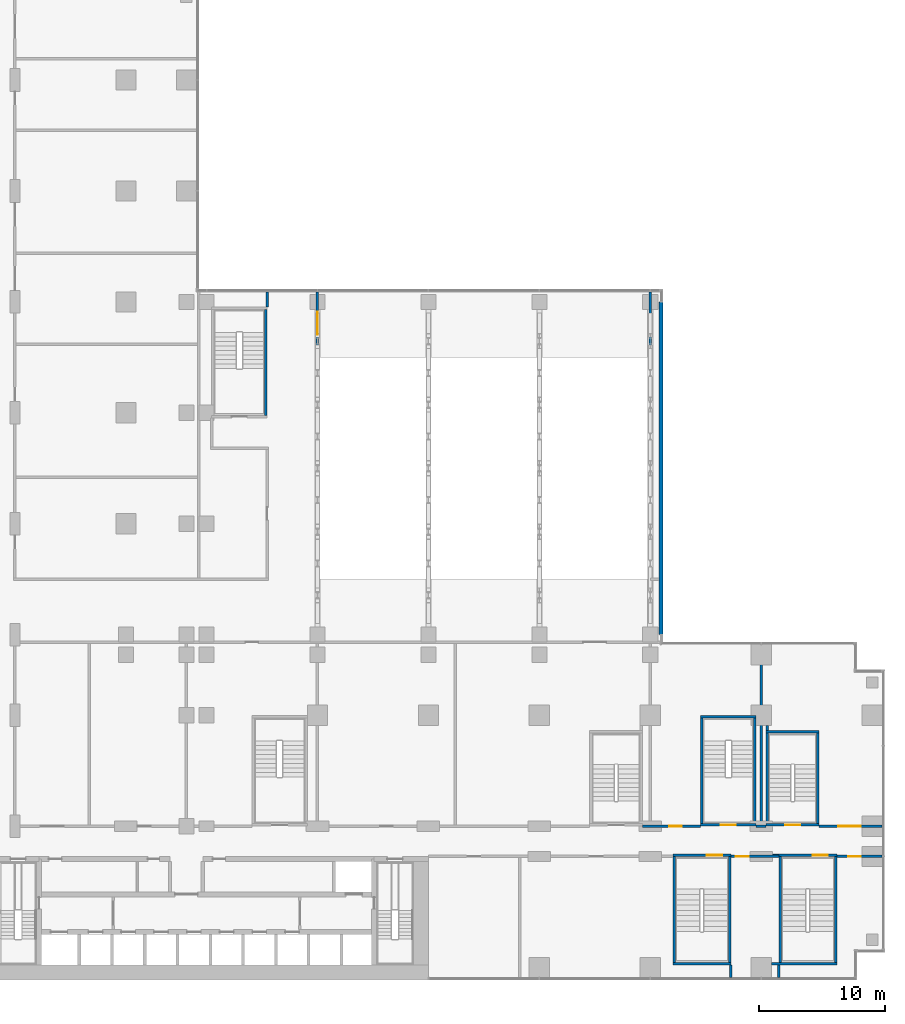
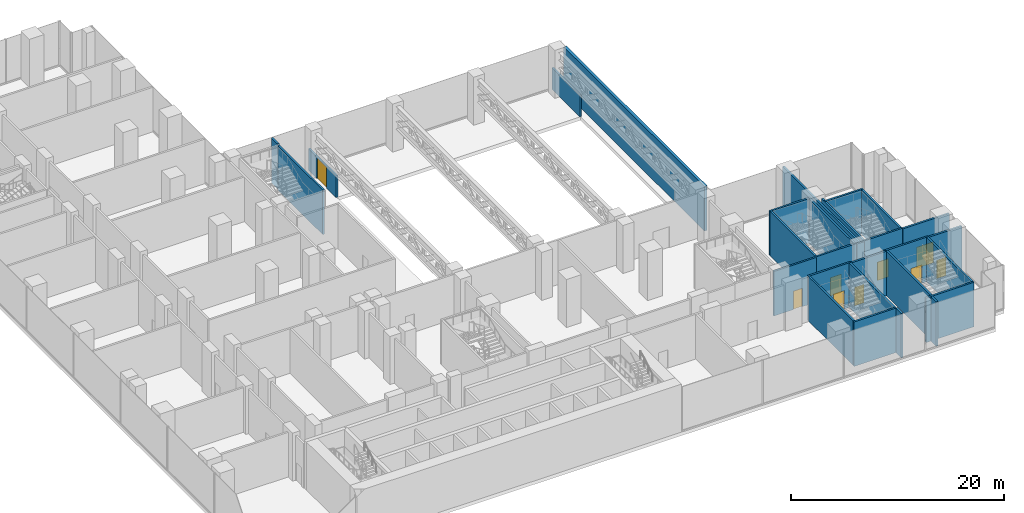
# One storey, part 21 of 30: 29 walls, 9 doors, 9 openings.
"""IFC4 building model written with IfcOpenShell, lengths in metres."""

from ifc_helpers import new_model, si_unit, direction, frame, frame_2d, origin, place, context, subcontext, project, spatial, rectangle, extrude, material, layer, layer_set, type_object, element, fill, save


model = new_model("IFC4")

# Units and contexts
model_context = context("Model", 3, precision=1e-05, world=origin(), true_north=direction((0.0, 1.0)))
body_context = subcontext(model_context, "Body", "Model", "MODEL_VIEW")
ifc_project = project(units=[si_unit("LENGTHUNIT", "METRE"), si_unit("AREAUNIT", "SQUARE_METRE"), si_unit("VOLUMEUNIT", "CUBIC_METRE"), si_unit("PLANEANGLEUNIT", "RADIAN"), si_unit("MASSUNIT", "GRAM", prefix="KILO")], contexts=[model_context])

# Site, building, storey
site_placement = place(None, origin())
site = spatial("IfcSite", under=ifc_project, at=site_placement, CompositionType="ELEMENT")
building_placement = place(site_placement, origin())
building = spatial("IfcBuilding", under=site, at=building_placement, Name="Kemantara Hotel Tower", CompositionType="ELEMENT")
storey_placement = place(building_placement, frame((0.0, 0.0, 23.5)))
storey = spatial("IfcBuildingStorey", under=building, at=storey_placement, Name="L04", CompositionType="ELEMENT", Elevation=23.5)

# Wall
ifc_material_1 = material(Name="Bronze anodised aluminium cladding on insulated steel stud wall", Category="steel")
ifc_layer_1 = layer(ifc_material_1, 0.300048828125)
ifc_layer_set_1 = layer_set([ifc_layer_1], Name="Bronze anodised aluminium cladding on insulated steel stud wall")
wall_type_1 = type_object("IfcWallType", Name="BRONZE METAL-CLAD EXTERNAL WALL 300", PredefinedType="STANDARD", material=ifc_layer_set_1)
wall_1_placement = place(storey_placement, frame((63.449951171875, 27.39990234375, 0.0), z_axis=(0.0, 0.0, 1.0), x_axis=(0.0, 1.0, 0.0)))
element("IfcWall", 1, at=wall_1_placement, inside=storey, type_object=wall_type_1, Name="EXTERNAL WALL L04 POD-R08.S0", PredefinedType="STANDARD", context=body_context, shape_type="SweptSolid", body=[
    extrude(rectangle(XDim=26.400146484375, YDim=0.300048828125, at=frame_2d((13.2001953125, 0.0))), origin(), (0.0, 0.0, 1.0), 5.10009765625),
])

# Wall, opening, door
ifc_material_2 = material(Name="Concrete fc 40 MPa", Category="concrete")
ifc_layer_2 = layer(ifc_material_2, 0.199951171875)
ifc_layer_set_2 = layer_set([ifc_layer_2], Name="Concrete fc 40 MPa")
wall_type_2 = type_object("IfcWallType", Name="Concrete stair wall 200 mm", PredefinedType="SHEAR", material=ifc_layer_set_2)
wall_2_placement = place(storey_placement, frame((71.800048828125, 12.300048828125, 0.0), z_axis=(0.0, 0.0, 1.0), x_axis=(1.0, 0.0, 0.0)))
wall_2 = element("IfcWall", 2, at=wall_2_placement, inside=storey, type_object=wall_type_2, Name="Stair ST5 enclosure wall with door", PredefinedType="SHEAR", context=body_context, shape_type="SweptSolid", body=[
    extrude(rectangle(XDim=4.199951171875, YDim=0.199951171875, at=frame_2d((2.10009765625, 0.0))), origin(), (0.0, 0.0, 1.0), 5.10009765625),
])
opening_1_placement = place(wall_2_placement, frame((1.5, 0.0, 0.0)))
opening_1 = element("IfcOpeningElement", 3, at=opening_1_placement, cuts=wall_2, Name="Opening ST5-C", PredefinedType="OPENING", context=body_context, shape_type="SweptSolid", body=[
    extrude(rectangle(XDim=1.199951171875, YDim=2.10009765625, at=frame_2d((0.60009765625, 1.050048828125))), frame((0.0, 0.10986328125, 0.0), z_axis=(0.0, -1.0, 0.0), x_axis=(1.0, 0.0, 0.0)), (0.0, 0.0, 1.0), 0.219970703125),
])
ifc_material_3 = material(Name="Steel fire door", Category="steel")
door_type_1 = type_object("IfcDoorType", Name="Fire door FD90 1200 x 2100", OperationType="NOTDEFINED", PredefinedType="DOOR", material=ifc_material_3)
door_1_placement = place(opening_1_placement, origin())
door_1 = element("IfcDoor", 4, at=door_1_placement, inside=storey, type_object=door_type_1, Name="Stair ST5 door", OperationType="SINGLE_SWING_RIGHT", OverallHeight=2.10009765625, OverallWidth=1.199951171875, PredefinedType="DOOR", context=body_context, shape_type="SweptSolid", body=[
    extrude(rectangle(XDim=1.199951171875, YDim=2.10009765625, at=frame_2d((0.60009765625, 1.050048828125))), frame((0.0, 0.02490234375, 0.0), z_axis=(0.0, -1.0, 0.0), x_axis=(1.0, 0.0, 0.0)), (0.0, 0.0, 1.0), 0.050048828125),
])
fill(opening_1, door_1)

# Walls
wall_3_placement = place(storey_placement, frame((71.800048828125, 19.699951171875, 0.0), z_axis=(0.0, 0.0, 1.0), x_axis=(1.0, 0.0, 0.0)))
element("IfcWall", 5, at=wall_3_placement, inside=storey, type_object=wall_type_2, Name="Stair ST5 enclosure wall N", PredefinedType="SHEAR", context=body_context, shape_type="SweptSolid", body=[
    extrude(rectangle(XDim=4.199951171875, YDim=0.199951171875, at=frame_2d((2.10009765625, 0.0))), origin(), (0.0, 0.0, 1.0), 5.10009765625),
])
wall_4_placement = place(storey_placement, frame((71.89990234375, 12.39990234375, 0.0), z_axis=(0.0, 0.0, 1.0), x_axis=(0.0, 1.0, 0.0)))
element("IfcWall", 6, at=wall_4_placement, inside=storey, type_object=wall_type_2, Name="Stair ST5 enclosure wall W", PredefinedType="SHEAR", context=body_context, shape_type="SweptSolid", body=[
    extrude(rectangle(XDim=7.800048828125, YDim=0.199951171875, at=frame_2d((3.89990234375, 0.0))), origin(), (0.0, 0.0, 1.0), 5.10009765625),
])
wall_5_placement = place(storey_placement, frame((75.89990234375, 12.39990234375, 0.0), z_axis=(0.0, 0.0, 1.0), x_axis=(0.0, 1.0, 0.0)))
element("IfcWall", 7, at=wall_5_placement, inside=storey, type_object=wall_type_2, Name="Stair ST5 enclosure wall E", PredefinedType="SHEAR", context=body_context, shape_type="SweptSolid", body=[
    extrude(rectangle(XDim=7.2001953125, YDim=0.199951171875, at=frame_2d((3.60009765625, 0.0))), origin(), (0.0, 0.0, 1.0), 5.10009765625),
])

# Wall, opening, door
wall_6_placement = place(storey_placement, frame((66.60009765625, 12.300048828125, 0.0), z_axis=(0.0, 0.0, 1.0), x_axis=(1.0, 0.0, 0.0)))
wall_6 = element("IfcWall", 8, at=wall_6_placement, inside=storey, type_object=wall_type_2, Name="Stair PS1 enclosure wall with door", PredefinedType="SHEAR", context=body_context, shape_type="SweptSolid", body=[
    extrude(rectangle(XDim=4.39990234375, YDim=0.199951171875, at=frame_2d((2.199951171875, 0.0))), origin(), (0.0, 0.0, 1.0), 5.10009765625),
])
opening_2_placement = place(wall_6_placement, frame((1.60009765625, 0.0, 0.0)))
opening_2 = element("IfcOpeningElement", 9, at=opening_2_placement, cuts=wall_6, Name="Opening PS1-C", PredefinedType="OPENING", context=body_context, shape_type="SweptSolid", body=[
    extrude(rectangle(XDim=1.199951171875, YDim=2.10009765625, at=frame_2d((0.60009765625, 1.050048828125))), frame((0.0, 0.10986328125, 0.0), z_axis=(0.0, -1.0, 0.0), x_axis=(1.0, 0.0, 0.0)), (0.0, 0.0, 1.0), 0.219970703125),
])
door_2_placement = place(opening_2_placement, origin())
door_2 = element("IfcDoor", 10, at=door_2_placement, inside=storey, type_object=door_type_1, Name="Stair PS1 door", OperationType="SINGLE_SWING_RIGHT", OverallHeight=2.10009765625, OverallWidth=1.199951171875, PredefinedType="DOOR", context=body_context, shape_type="SweptSolid", body=[
    extrude(rectangle(XDim=1.199951171875, YDim=2.10009765625, at=frame_2d((0.60009765625, 1.050048828125))), frame((0.0, 0.02490234375, 0.0), z_axis=(0.0, -1.0, 0.0), x_axis=(1.0, 0.0, 0.0)), (0.0, 0.0, 1.0), 0.050048828125),
])
fill(opening_2, door_2)

# Walls
wall_7_placement = place(storey_placement, frame((66.60009765625, 20.89990234375, 0.0), z_axis=(0.0, 0.0, 1.0), x_axis=(1.0, 0.0, 0.0)))
element("IfcWall", 11, at=wall_7_placement, inside=storey, type_object=wall_type_2, Name="Stair PS1 enclosure wall N", PredefinedType="SHEAR", context=body_context, shape_type="SweptSolid", body=[
    extrude(rectangle(XDim=4.39990234375, YDim=0.199951171875, at=frame_2d((2.199951171875, 0.0))), origin(), (0.0, 0.0, 1.0), 5.10009765625),
])
for number, where, z_axis, x_axis, name in (
    (12, (66.699951171875, 12.39990234375, 0.0), (0.0, 0.0, 1.0), (0.0, 1.0, 0.0), "Stair PS1 enclosure wall W"),
    (13, (70.89990234375, 12.39990234375, 0.0), (0.0, 0.0, 1.0), (0.0, 1.0, 0.0), "Stair PS1 enclosure wall E"),
):
    element("IfcWall", number, at=place(storey_placement, frame(where, z_axis=z_axis, x_axis=x_axis)), inside=storey, type_object=wall_type_2, Name=name, PredefinedType="SHEAR", context=body_context, shape_type="SweptSolid", body=[
        extrude(rectangle(XDim=8.400146484375, YDim=0.199951171875, at=frame_2d((4.2001953125, 0.0))), origin(), (0.0, 0.0, 1.0), 5.10009765625),
    ])
wall_8_placement = place(storey_placement, frame((32.10009765625, 44.800048828125, 0.0), z_axis=(0.0, 0.0, 1.0), x_axis=(0.0, 1.0, 0.0)))
element("IfcWall", 14, at=wall_8_placement, inside=storey, type_object=wall_type_2, Name="Stair PS2 enclosure wall E", PredefinedType="SHEAR", context=body_context, shape_type="SweptSolid", body=[
    extrude(rectangle(XDim=8.39990234375, YDim=0.199951171875, at=frame_2d((4.199951171875, 0.0))), origin(), (0.0, 0.0, 1.0), 5.10009765625),
])

# Wall, opening, door
wall_9_placement = place(storey_placement, frame((64.39990234375, 9.89990234375, 0.0), z_axis=(0.0, 0.0, 1.0), x_axis=(1.0, 0.0, 0.0)))
wall_9 = element("IfcWall", 15, at=wall_9_placement, inside=storey, type_object=wall_type_2, Name="Stair PS4 enclosure wall with door", PredefinedType="SHEAR", context=body_context, shape_type="SweptSolid", body=[
    extrude(rectangle(XDim=4.60009765625, YDim=0.199951171875, at=frame_2d((2.300048828125, 0.0))), origin(), (0.0, 0.0, 1.0), 5.10009765625),
])
opening_3_placement = place(wall_9_placement, frame((2.699951171875, 0.0, 0.0)))
opening_3 = element("IfcOpeningElement", 16, at=opening_3_placement, cuts=wall_9, Name="Opening PS4-C", PredefinedType="OPENING", context=body_context, shape_type="SweptSolid", body=[
    extrude(rectangle(XDim=1.199951171875, YDim=2.10009765625, at=frame_2d((0.60009765625, 1.050048828125))), frame((0.0, 0.10986328125, 0.0), z_axis=(0.0, -1.0, 0.0), x_axis=(1.0, 0.0, 0.0)), (0.0, 0.0, 1.0), 0.219970703125),
])
door_3_placement = place(opening_3_placement, frame((1.199951171875, 0.0, 0.0), z_axis=(0.0, 0.0, 1.0), x_axis=(-1.0, 0.0, 0.0)))
door_3 = element("IfcDoor", 17, at=door_3_placement, inside=storey, type_object=door_type_1, Name="Stair PS4 door", OperationType="SINGLE_SWING_LEFT", OverallHeight=2.10009765625, OverallWidth=1.199951171875, PredefinedType="DOOR", context=body_context, shape_type="SweptSolid", body=[
    extrude(rectangle(XDim=1.199951171875, YDim=2.10009765625, at=frame_2d((0.60009765625, 1.050048828125))), frame((0.0, 0.02490234375, 0.0), z_axis=(0.0, -1.0, 0.0), x_axis=(1.0, 0.0, 0.0)), (0.0, 0.0, 1.0), 0.050048828125),
])
fill(opening_3, door_3)

# Walls
wall_10_placement = place(storey_placement, frame((64.39990234375, 1.300048828125, 0.0), z_axis=(0.0, 0.0, 1.0), x_axis=(1.0, 0.0, 0.0)))
element("IfcWall", 18, at=wall_10_placement, inside=storey, type_object=wall_type_2, Name="Stair PS4 enclosure wall S", PredefinedType="SHEAR", context=body_context, shape_type="SweptSolid", body=[
    extrude(rectangle(XDim=4.60009765625, YDim=0.199951171875, at=frame_2d((2.300048828125, 0.0))), origin(), (0.0, 0.0, 1.0), 5.10009765625),
])
for number, where, z_axis, x_axis, name in (
    (19, (64.5, 1.39990234375, 0.0), (0.0, 0.0, 1.0), (0.0, 1.0, 0.0), "Stair PS4 enclosure wall W"),
    (20, (68.89990234375, 1.39990234375, 0.0), (0.0, 0.0, 1.0), (0.0, 1.0, 0.0), "Stair PS4 enclosure wall E"),
):
    element("IfcWall", number, at=place(storey_placement, frame(where, z_axis=z_axis, x_axis=x_axis)), inside=storey, type_object=wall_type_2, Name=name, PredefinedType="SHEAR", context=body_context, shape_type="SweptSolid", body=[
        extrude(rectangle(XDim=8.400146484375, YDim=0.199951171875, at=frame_2d((4.2001953125, 0.0))), origin(), (0.0, 0.0, 1.0), 5.10009765625),
    ])

# Wall, opening, door
wall_11_placement = place(storey_placement, frame((72.300048828125, 9.89990234375, 0.0), z_axis=(0.0, 0.0, 1.0), x_axis=(1.0, 0.0, 0.0)))
wall_11 = element("IfcWall", 21, at=wall_11_placement, inside=storey, type_object=wall_type_2, Name="Stair PS5 enclosure wall with door", PredefinedType="SHEAR", context=body_context, shape_type="SweptSolid", body=[
    extrude(rectangle(XDim=5.099853515625, YDim=0.199951171875, at=frame_2d((2.5498046875, 0.0))), origin(), (0.0, 0.0, 1.0), 5.10009765625),
])
opening_4_placement = place(wall_11_placement, frame((3.199951171875, 0.0, 0.0)))
opening_4 = element("IfcOpeningElement", 22, at=opening_4_placement, cuts=wall_11, Name="Opening PS5-C", PredefinedType="OPENING", context=body_context, shape_type="SweptSolid", body=[
    extrude(rectangle(XDim=1.199951171875, YDim=2.10009765625, at=frame_2d((0.60009765625, 1.050048828125))), frame((0.0, 0.10986328125, 0.0), z_axis=(0.0, -1.0, 0.0), x_axis=(1.0, 0.0, 0.0)), (0.0, 0.0, 1.0), 0.219970703125),
])
door_4_placement = place(opening_4_placement, frame((1.199951171875, 0.0, 0.0), z_axis=(0.0, 0.0, 1.0), x_axis=(-1.0, 0.0, 0.0)))
door_4 = element("IfcDoor", 23, at=door_4_placement, inside=storey, type_object=door_type_1, Name="Stair PS5 door", OperationType="SINGLE_SWING_LEFT", OverallHeight=2.10009765625, OverallWidth=1.199951171875, PredefinedType="DOOR", context=body_context, shape_type="SweptSolid", body=[
    extrude(rectangle(XDim=1.199951171875, YDim=2.10009765625, at=frame_2d((0.60009765625, 1.050048828125))), frame((0.0, 0.02490234375, 0.0), z_axis=(0.0, -1.0, 0.0), x_axis=(1.0, 0.0, 0.0)), (0.0, 0.0, 1.0), 0.050048828125),
])
fill(opening_4, door_4)

# Walls
wall_12_placement = place(storey_placement, frame((72.199951171875, 1.300048828125, 0.0), z_axis=(0.0, 0.0, 1.0), x_axis=(1.0, 0.0, 0.0)))
element("IfcWall", 24, at=wall_12_placement, inside=storey, type_object=wall_type_2, Name="Stair PS5 enclosure wall S", PredefinedType="SHEAR", context=body_context, shape_type="SweptSolid", body=[
    extrude(rectangle(XDim=5.199951171875, YDim=0.199951171875, at=frame_2d((2.60009765625, 0.0))), origin(), (0.0, 0.0, 1.0), 5.10009765625),
])
for number, where, z_axis, x_axis, name in (
    (25, (72.89990234375, 1.39990234375, 0.0), (0.0, 0.0, 1.0), (0.0, 1.0, 0.0), "Stair PS5 enclosure wall W"),
    (26, (77.300048828125, 1.39990234375, 0.0), (0.0, 0.0, 1.0), (0.0, 1.0, 0.0), "Stair PS5 enclosure wall E"),
):
    element("IfcWall", number, at=place(storey_placement, frame(where, z_axis=z_axis, x_axis=x_axis)), inside=storey, type_object=wall_type_2, Name=name, PredefinedType="SHEAR", context=body_context, shape_type="SweptSolid", body=[
        extrude(rectangle(XDim=8.400146484375, YDim=0.199951171875, at=frame_2d((4.2001953125, 0.0))), origin(), (0.0, 0.0, 1.0), 5.10009765625),
    ])
ifc_material_4 = material(Name="Clay brick masonry", Category="masonry")
ifc_layer_3 = layer(ifc_material_4, 0.199951171875)
ifc_layer_set_3 = layer_set([ifc_layer_3], Name="Clay brick masonry")
wall_type_3 = type_object("IfcWallType", Name="FIRE-RATED CLAY BRICK WALL 200 EI 120", PredefinedType="PARTITIONING", material=ifc_layer_set_3)
wall_13_placement = place(storey_placement, frame((62.60009765625, 49.39990234375, 0.0), z_axis=(0.0, 0.0, 1.0), x_axis=(0.0, 1.0, 0.0)))
element("IfcWall", 27, at=wall_13_placement, inside=storey, type_object=wall_type_3, Name="FIRE WALL", PredefinedType="PARTITIONING", context=body_context, shape_type="SweptSolid", body=[
    extrude(rectangle(XDim=5.2001953125, YDim=0.199951171875, at=frame_2d((2.60009765625, 0.0))), origin(), (0.0, 0.0, 1.0), 2.5),
])

# Wall, opening, door
ifc_material_5 = material(Name="Fire-rated gypsum board partition")
ifc_layer_4 = layer(ifc_material_5, 0.199951171875)
ifc_layer_set_4 = layer_set([ifc_layer_4], Name="Fire-rated gypsum board partition")
wall_type_4 = type_object("IfcWallType", Name="FIRE-RATED GYPSUM PARTITION 200 EI 60", PredefinedType="PARTITIONING", material=ifc_layer_set_4)
wall_14_placement = place(storey_placement, frame((69.0, 9.800048828125, 0.0), z_axis=(0.0, 0.0, 1.0), x_axis=(1.0, 0.0, 0.0)))
wall_14 = element("IfcWall", 28, at=wall_14_placement, inside=storey, type_object=wall_type_4, Name="FIRE-RATED PARTITION", PredefinedType="PARTITIONING", context=body_context, shape_type="SweptSolid", body=[
    extrude(rectangle(XDim=3.800048828125, YDim=0.199951171875, at=frame_2d((1.89990234375, 0.0))), origin(), (0.0, 0.0, 1.0), 5.10009765625),
])
opening_5_placement = place(wall_14_placement, frame((0.39990234375, 0.0, 0.0)))
opening_5 = element("IfcOpeningElement", 29, at=opening_5_placement, cuts=wall_14, Name="Opening L04-B005", PredefinedType="OPENING", context=body_context, shape_type="SweptSolid", body=[
    extrude(rectangle(XDim=1.0, YDim=2.10009765625, at=frame_2d((0.5, 1.050048828125))), frame((0.0, 0.10986328125, 0.0), z_axis=(0.0, -1.0, 0.0), x_axis=(1.0, 0.0, 0.0)), (0.0, 0.0, 1.0), 0.219970703125),
])
ifc_material_6 = material(Name="Timber veneer door leaf", Category="wood")
door_type_2 = type_object("IfcDoorType", Name="SINGLE LEAF TIMBER DOOR 1000 X 2100", OperationType="SINGLE_SWING_LEFT", PredefinedType="DOOR", material=ifc_material_6)
door_5_placement = place(opening_5_placement, frame((1.0, 0.0, 0.0), z_axis=(0.0, 0.0, 1.0), x_axis=(-1.0, 0.0, 0.0)))
door_5 = element("IfcDoor", 30, at=door_5_placement, inside=storey, type_object=door_type_2, Name="SINGLE LEAF TIMBER DOOR", OperationType="SINGLE_SWING_RIGHT", OverallHeight=2.10009765625, OverallWidth=1.0, PredefinedType="DOOR", context=body_context, shape_type="SweptSolid", body=[
    extrude(rectangle(XDim=1.0, YDim=2.10009765625, at=frame_2d((0.5, 1.050048828125))), frame((0.0, 0.02490234375, 0.0), z_axis=(0.0, -1.0, 0.0), x_axis=(1.0, 0.0, 0.0)), (0.0, 0.0, 1.0), 0.050048828125),
])
fill(opening_5, door_5)

wall_15_placement = place(storey_placement, frame((77.39990234375, 9.800048828125, 0.0), z_axis=(0.0, 0.0, 1.0), x_axis=(1.0, 0.0, 0.0)))
wall_15 = element("IfcWall", 31, at=wall_15_placement, inside=storey, type_object=wall_type_4, Name="FIRE-RATED PARTITION", PredefinedType="PARTITIONING", context=body_context, shape_type="SweptSolid", body=[
    extrude(rectangle(XDim=3.60009765625, YDim=0.199951171875, at=frame_2d((1.800048828125, 0.0))), origin(), (0.0, 0.0, 1.0), 5.10009765625),
])
opening_6_placement = place(wall_15_placement, frame((0.89990234375, 0.0, 0.0)))
opening_6 = element("IfcOpeningElement", 32, at=opening_6_placement, cuts=wall_15, Name="Opening L04-B006", PredefinedType="OPENING", context=body_context, shape_type="SweptSolid", body=[
    extrude(rectangle(XDim=1.0, YDim=2.10009765625, at=frame_2d((0.5, 1.050048828125))), frame((0.0, 0.10986328125, 0.0), z_axis=(0.0, -1.0, 0.0), x_axis=(1.0, 0.0, 0.0)), (0.0, 0.0, 1.0), 0.219970703125),
])
door_6_placement = place(opening_6_placement, frame((1.0, 0.0, 0.0), z_axis=(0.0, 0.0, 1.0), x_axis=(-1.0, 0.0, 0.0)))
door_6 = element("IfcDoor", 33, at=door_6_placement, inside=storey, type_object=door_type_2, Name="SINGLE LEAF TIMBER DOOR", OperationType="SINGLE_SWING_RIGHT", OverallHeight=2.10009765625, OverallWidth=1.0, PredefinedType="DOOR", context=body_context, shape_type="SweptSolid", body=[
    extrude(rectangle(XDim=1.0, YDim=2.10009765625, at=frame_2d((0.5, 1.050048828125))), frame((0.0, 0.02490234375, 0.0), z_axis=(0.0, -1.0, 0.0), x_axis=(1.0, 0.0, 0.0)), (0.0, 0.0, 1.0), 0.050048828125),
])
fill(opening_6, door_6)

wall_16_placement = place(storey_placement, frame((62.0, 12.199951171875, 0.0), z_axis=(0.0, 0.0, 1.0), x_axis=(1.0, 0.0, 0.0)))
wall_16 = element("IfcWall", 34, at=wall_16_placement, inside=storey, type_object=wall_type_4, Name="FIRE-RATED PARTITION", PredefinedType="PARTITIONING", context=body_context, shape_type="SweptSolid", body=[
    extrude(rectangle(XDim=4.60009765625, YDim=0.199951171875, at=frame_2d((2.300048828125, 0.0))), origin(), (0.0, 0.0, 1.0), 5.10009765625),
])
opening_7_placement = place(wall_16_placement, frame((2.10009765625, 0.0, 0.0)))
opening_7 = element("IfcOpeningElement", 35, at=opening_7_placement, cuts=wall_16, Name="Opening L04-B027", PredefinedType="OPENING", context=body_context, shape_type="SweptSolid", body=[
    extrude(rectangle(XDim=1.0, YDim=2.10009765625, at=frame_2d((0.5, 1.050048828125))), frame((0.0, 0.10986328125, 0.0), z_axis=(0.0, -1.0, 0.0), x_axis=(1.0, 0.0, 0.0)), (0.0, 0.0, 1.0), 0.219970703125),
])
door_7_placement = place(opening_7_placement, origin())
door_7 = element("IfcDoor", 36, at=door_7_placement, inside=storey, type_object=door_type_2, Name="SINGLE LEAF TIMBER DOOR", OperationType="SINGLE_SWING_RIGHT", OverallHeight=2.10009765625, OverallWidth=1.0, PredefinedType="DOOR", context=body_context, shape_type="SweptSolid", body=[
    extrude(rectangle(XDim=1.0, YDim=2.10009765625, at=frame_2d((0.5, 1.050048828125))), frame((0.0, 0.02490234375, 0.0), z_axis=(0.0, -1.0, 0.0), x_axis=(1.0, 0.0, 0.0)), (0.0, 0.0, 1.0), 0.050048828125),
])
fill(opening_7, door_7)

# Wall
wall_17_placement = place(storey_placement, frame((71.0, 12.199951171875, 0.0), z_axis=(0.0, 0.0, 1.0), x_axis=(1.0, 0.0, 0.0)))
element("IfcWall", 37, at=wall_17_placement, inside=storey, type_object=wall_type_4, Name="FIRE-RATED PARTITION", PredefinedType="PARTITIONING", context=body_context, shape_type="SweptSolid", body=[
    extrude(rectangle(XDim=0.800048828125, YDim=0.199951171875, at=frame_2d((0.39990234375, 0.0))), origin(), (0.0, 0.0, 1.0), 5.10009765625),
])

# Wall, opening, door
wall_18_placement = place(storey_placement, frame((76.0, 12.199951171875, 0.0), z_axis=(0.0, 0.0, 1.0), x_axis=(1.0, 0.0, 0.0)))
wall_18 = element("IfcWall", 38, at=wall_18_placement, inside=storey, type_object=wall_type_4, Name="FIRE-RATED PARTITION", PredefinedType="PARTITIONING", context=body_context, shape_type="SweptSolid", body=[
    extrude(rectangle(XDim=5.0, YDim=0.199951171875, at=frame_2d((2.5, 0.0))), origin(), (0.0, 0.0, 1.0), 5.10009765625),
])
opening_8_placement = place(wall_18_placement, frame((1.5, 0.0, 0.0)))
opening_8 = element("IfcOpeningElement", 39, at=opening_8_placement, cuts=wall_18, Name="Opening L04-B028", PredefinedType="OPENING", context=body_context, shape_type="SweptSolid", body=[
    extrude(rectangle(XDim=1.800048828125, YDim=2.39990234375, at=frame_2d((0.89990234375, 1.199951171875))), frame((0.0, 0.10986328125, 0.0), z_axis=(0.0, -1.0, 0.0), x_axis=(1.0, 0.0, 0.0)), (0.0, 0.0, 1.0), 0.219970703125),
])
ifc_material_7 = material(Name="Toughened glass door leaf", Category="glass")
door_type_3 = type_object("IfcDoorType", Name="GLAZED DOUBLE DOOR 1800 X 2400", OperationType="DOUBLE_DOOR_SINGLE_SWING", PredefinedType="DOOR", material=ifc_material_7)
door_8_placement = place(opening_8_placement, frame((1.800048828125, 0.0, 0.0), z_axis=(0.0, 0.0, 1.0), x_axis=(-1.0, 0.0, 0.0)))
door_8 = element("IfcDoor", 40, at=door_8_placement, inside=storey, type_object=door_type_3, Name="GLAZED DOUBLE DOOR", OperationType="DOUBLE_DOOR_SINGLE_SWING", OverallHeight=2.39990234375, OverallWidth=1.800048828125, PredefinedType="DOOR", context=body_context, shape_type="SweptSolid", body=[
    extrude(rectangle(XDim=1.800048828125, YDim=2.39990234375, at=frame_2d((0.89990234375, 1.199951171875))), frame((0.0, 0.02490234375, 0.0), z_axis=(0.0, -1.0, 0.0), x_axis=(1.0, 0.0, 0.0)), (0.0, 0.0, 1.0), 0.050048828125),
])
fill(opening_8, door_8)

ifc_material_8 = material(Name="Gypsum board partition")
ifc_layer_5 = layer(ifc_material_8, 0.199951171875)
ifc_layer_set_5 = layer_set([ifc_layer_5], Name="Gypsum board partition")
wall_type_5 = type_object("IfcWallType", Name="GYPSUM BOARD PARTITION 200", PredefinedType="PARTITIONING", material=ifc_layer_set_5)
wall_19_placement = place(storey_placement, frame((36.199951171875, 49.39990234375, 0.0), z_axis=(0.0, 0.0, 1.0), x_axis=(0.0, 1.0, 0.0)))
wall_19 = element("IfcWall", 41, at=wall_19_placement, inside=storey, type_object=wall_type_5, Name="PARTITION", PredefinedType="PARTITIONING", context=body_context, shape_type="SweptSolid", body=[
    extrude(rectangle(XDim=5.2001953125, YDim=0.199951171875, at=frame_2d((2.60009765625, 0.0))), origin(), (0.0, 0.0, 1.0), 2.5),
])
opening_9_placement = place(wall_19_placement, frame((1.800048828125, 0.0, 0.0)))
opening_9 = element("IfcOpeningElement", 42, at=opening_9_placement, cuts=wall_19, Name="Opening L04-B029", PredefinedType="OPENING", context=body_context, shape_type="SweptSolid", body=[
    extrude(rectangle(XDim=1.800048828125, YDim=2.39990234375, at=frame_2d((0.89990234375, 1.199951171875))), frame((0.0, 0.10986328125, 0.0), z_axis=(0.0, -1.0, 0.0), x_axis=(1.0, 0.0, 0.0)), (0.0, 0.0, 1.0), 0.219970703125),
])
door_9_placement = place(opening_9_placement, frame((1.800048828125, 0.0, 0.0), z_axis=(0.0, 0.0, 1.0), x_axis=(-1.0, 0.0, 0.0)))
door_9 = element("IfcDoor", 43, at=door_9_placement, inside=storey, type_object=door_type_3, Name="GLAZED DOUBLE DOOR", OperationType="DOUBLE_DOOR_SINGLE_SWING", OverallHeight=2.39990234375, OverallWidth=1.800048828125, PredefinedType="DOOR", context=body_context, shape_type="SweptSolid", body=[
    extrude(rectangle(XDim=1.800048828125, YDim=2.39990234375, at=frame_2d((0.89990234375, 1.199951171875))), frame((0.0, 0.02490234375, 0.0), z_axis=(0.0, -1.0, 0.0), x_axis=(1.0, 0.0, 0.0)), (0.0, 0.0, 1.0), 0.050048828125),
])
fill(opening_9, door_9)

# Walls
wall_20_placement = place(storey_placement, frame((32.199951171875, 53.39990234375, 0.0), z_axis=(0.0, 0.0, 1.0), x_axis=(0.0, 1.0, 0.0)))
element("IfcWall", 44, at=wall_20_placement, inside=storey, type_object=wall_type_5, Name="PARTITION", PredefinedType="PARTITIONING", context=body_context, shape_type="SweptSolid", body=[
    extrude(rectangle(XDim=1.2001953125, YDim=0.199951171875, at=frame_2d((0.60009765625, 0.0))), origin(), (0.0, 0.0, 1.0), 5.10009765625),
])
for number, where, z_axis, x_axis, name in (
    (45, (69.0, 0.199951171875, 0.0), (0.0, 0.0, 1.0), (0.0, 1.0, 0.0), "PARTITION"),
    (46, (72.800048828125, 0.199951171875, 0.0), (0.0, 0.0, 1.0), (0.0, 1.0, 0.0), "PARTITION"),
):
    element("IfcWall", number, at=place(storey_placement, frame(where, z_axis=z_axis, x_axis=x_axis)), inside=storey, type_object=wall_type_5, Name=name, PredefinedType="PARTITIONING", context=body_context, shape_type="SweptSolid", body=[
        extrude(rectangle(XDim=1.0, YDim=0.199951171875, at=frame_2d((0.5, 0.0))), origin(), (0.0, 0.0, 1.0), 5.10009765625),
    ])
wall_21_placement = place(storey_placement, frame((71.39990234375, 12.300048828125, 0.0), z_axis=(0.0, 0.0, 1.0), x_axis=(0.0, 1.0, 0.0)))
element("IfcWall", 47, at=wall_21_placement, inside=storey, type_object=wall_type_5, Name="PARTITION", PredefinedType="PARTITIONING", context=body_context, shape_type="SweptSolid", body=[
    extrude(rectangle(XDim=14.300048828125, YDim=0.199951171875, at=frame_2d((7.14990234375, 0.0))), origin(), (0.0, 0.0, 1.0), 5.10009765625),
])

save(model, "model.ifc")
